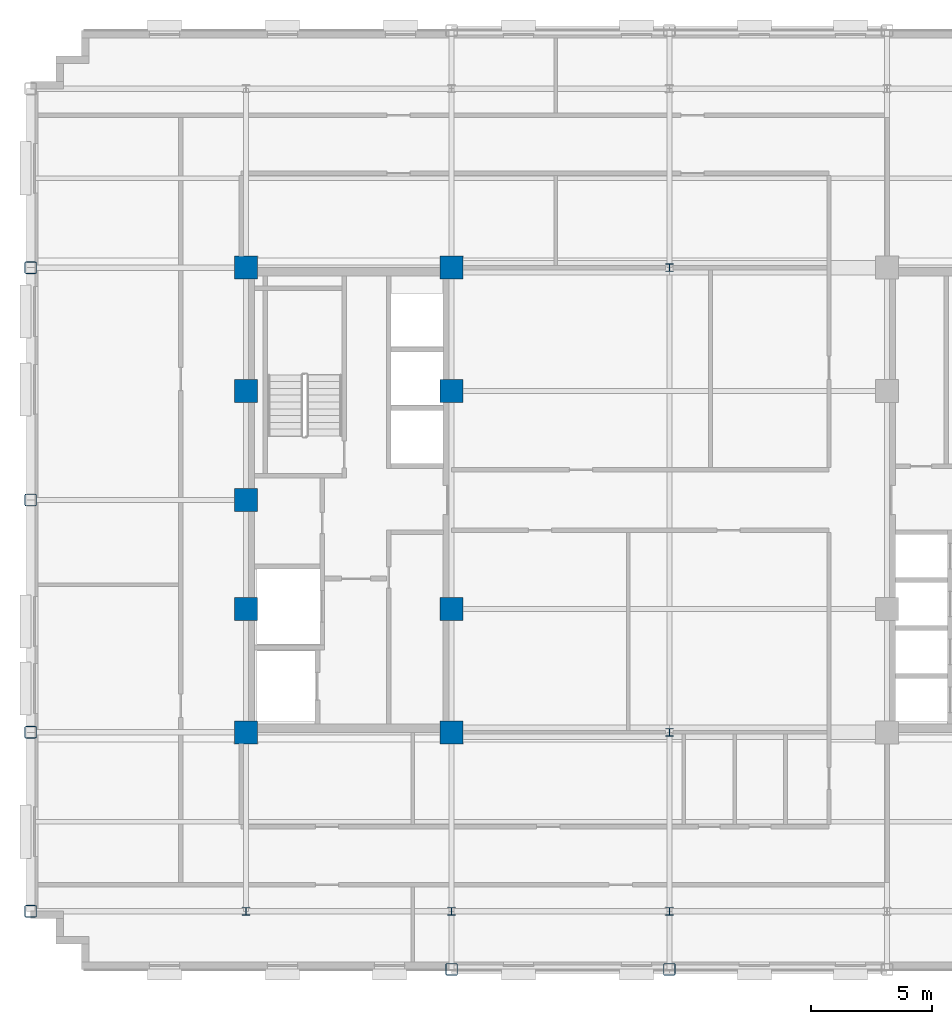
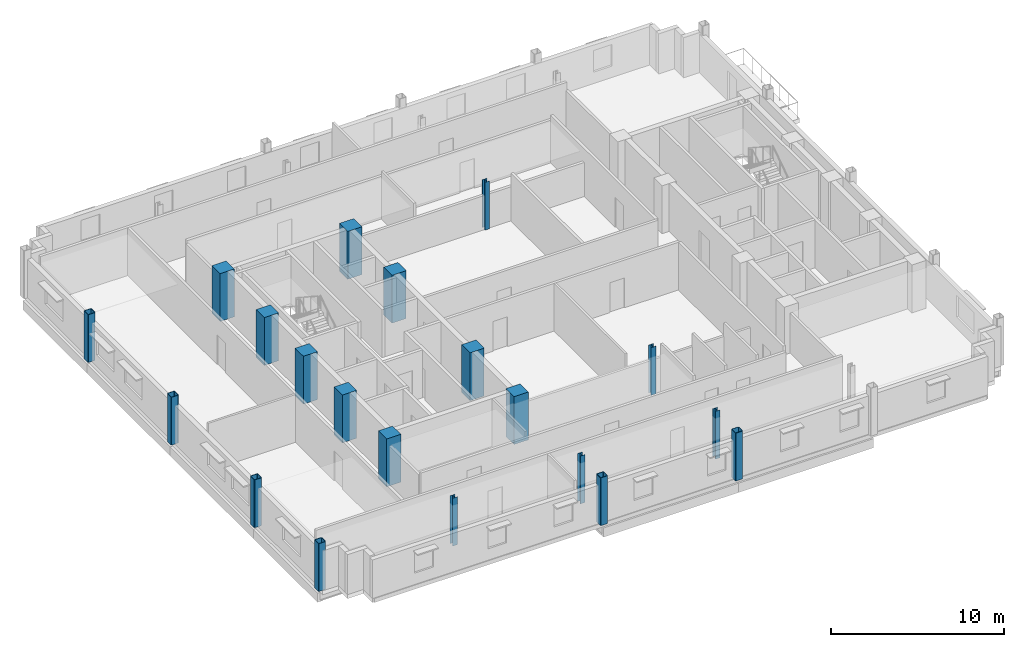
# One storey, part 1 of 13: 20 columns.
"""IFC4 building model written with IfcOpenShell, lengths in metres."""

from ifc_helpers import new_model, si_unit, direction, frame, origin, origin_2d, place, context, subcontext, project, spatial, rectangle, hollow_rectangle, i_section, extrude, material, material_profile, profile_set, type_object, element, save


model = new_model("IFC4")

# Units and contexts
model_context = context("Model", 3, precision=1e-05, world=origin(), true_north=direction((0.0, 1.0)))
body_context = subcontext(model_context, "Body", "Model", "MODEL_VIEW")
ifc_project = project(units=[si_unit("LENGTHUNIT", "METRE"), si_unit("AREAUNIT", "SQUARE_METRE"), si_unit("VOLUMEUNIT", "CUBIC_METRE"), si_unit("PLANEANGLEUNIT", "RADIAN"), si_unit("MASSUNIT", "GRAM", prefix="KILO")], contexts=[model_context])

# Site, building, storey
site_placement = place(None, origin())
site = spatial("IfcSite", under=ifc_project, at=site_placement, CompositionType="ELEMENT")
building_placement = place(site_placement, origin())
building = spatial("IfcBuilding", under=site, at=building_placement, Name="Nuvemarco Arch Tower", CompositionType="ELEMENT")
storey_placement = place(building_placement, frame((0.0, 0.0, 220.10009765625)))
storey = spatial("IfcBuildingStorey", under=building, at=storey_placement, Name="L58", CompositionType="ELEMENT", Elevation=220.10009765625)

# Columns
ifc_material_1 = material(Name="Concrete C50/60", Category="concrete")
ifc_material_profile_1 = material_profile(ifc_material_1, rectangle(XDim=0.949951171875, YDim=0.949951171875, at=origin_2d()), Name="RC-COL-950x950")
ifc_profile_set_1 = profile_set([ifc_material_profile_1], Name="Concrete C50/60")
column_type_1 = type_object("IfcColumnType", Name="COL-CORE-950", PredefinedType="COLUMN", material=ifc_profile_set_1)
for number, where, z_axis, x_axis, name in (
    (1, (-17.5, -9.60009765625, 0.0), (0.0, 0.0, 1.0), (1.0, 0.0, 0.0), "L58 column CC_-17.5_-9.6"),
    (2, (-17.5, -4.5, 0.0), (0.0, 0.0, 1.0), (1.0, 0.0, 0.0), "L58 column CC_-17.5_-4.5"),
    (3, (-17.5, 4.5, 0.0), (0.0, 0.0, 1.0), (1.0, 0.0, 0.0), "L58 column CC_-17.5_+4.5"),
    (4, (-17.5, 9.60009765625, 0.0), (0.0, 0.0, 1.0), (1.0, 0.0, 0.0), "L58 column CC_-17.5_+9.6"),
    (5, (-9.0, -9.60009765625, 0.0), (0.0, 0.0, 1.0), (1.0, 0.0, 0.0), "L58 column CC_-9.0_-9.6"),
    (6, (-9.0, -4.5, 0.0), (0.0, 0.0, 1.0), (1.0, 0.0, 0.0), "L58 column CC_-9.0_-4.5"),
    (7, (-9.0, 4.5, 0.0), (0.0, 0.0, 1.0), (1.0, 0.0, 0.0), "L58 column CC_-9.0_+4.5"),
    (8, (-9.0, 9.60009765625, 0.0), (0.0, 0.0, 1.0), (1.0, 0.0, 0.0), "L58 column CC_-9.0_+9.6"),
    (9, (-17.5, 0.0, 0.0), (0.0, 0.0, 1.0), (1.0, 0.0, 0.0), "L58 column CC_-17.5_+0.0"),
):
    element("IfcColumn", number, at=place(storey_placement, frame(where, z_axis=z_axis, x_axis=x_axis)), inside=storey, type_object=column_type_1, Name=name, PredefinedType="COLUMN", context=body_context, shape_type="SweptSolid", body=[
        extrude(rectangle(XDim=0.949951171875, YDim=0.949951171875, at=origin_2d()), origin(), (0.0, 0.0, 1.0), 3.369873046875),
    ])
ifc_material_2 = material(Name="Steel S355", Category="steel")
ifc_material_profile_2 = material_profile(ifc_material_2, hollow_rectangle(XDim=0.5, YDim=0.5, WallThickness=0.031982421875, InnerFilletRadius=0.031982421875, OuterFilletRadius=0.06396484375, at=origin_2d()), Name="SHS500x500x32")
ifc_profile_set_2 = profile_set([ifc_material_profile_2], Name="Steel S355")
column_type_2 = type_object("IfcColumnType", Name="COL-EXO-500", PredefinedType="COLUMN", material=ifc_profile_set_2)
for number, where, z_axis, x_axis, name in (
    (10, (-26.39990234375, -17.0, 0.0), (0.0, 0.0, 1.0), (1.0, 0.0, 0.0), "L58 column CX_-26.4_-17.0"),
    (11, (-26.39990234375, -9.60009765625, 0.0), (0.0, 0.0, 1.0), (1.0, 0.0, 0.0), "L58 column CX_-26.4_-9.6"),
    (12, (-26.39990234375, 0.0, 0.0), (0.0, 0.0, 1.0), (1.0, 0.0, 0.0), "L58 column CX_-26.4_+0.0"),
    (13, (-26.39990234375, 9.60009765625, 0.0), (0.0, 0.0, 1.0), (1.0, 0.0, 0.0), "L58 column CX_-26.4_+9.6"),
    (14, (-9.0, -19.39990234375, 0.0), (0.0, 0.0, 1.0), (1.0, 0.0, 0.0), "L58 column CY_-9.0_-19.4"),
    (15, (0.0, -19.39990234375, 0.0), (0.0, 0.0, 1.0), (1.0, 0.0, 0.0), "L58 column CY_+0.0_-19.4"),
):
    element("IfcColumn", number, at=place(storey_placement, frame(where, z_axis=z_axis, x_axis=x_axis)), inside=storey, type_object=column_type_2, Name=name, PredefinedType="COLUMN", context=body_context, shape_type="SweptSolid", body=[
        extrude(hollow_rectangle(XDim=0.5, YDim=0.5, WallThickness=0.031982421875, InnerFilletRadius=0.031982421875, OuterFilletRadius=0.06396484375, at=origin_2d()), origin(), (0.0, 0.0, 1.0), 3.369873046875),
    ])
ifc_material_profile_3 = material_profile(ifc_material_2, i_section(OverallWidth=0.31005859375, OverallDepth=0.31005859375, WebThickness=0.015380859375, FlangeThickness=0.015380859375, FilletRadius=0.014892578125, at=origin_2d()), Name="HP310x110")
ifc_profile_set_3 = profile_set([ifc_material_profile_3], Name="Steel S355")
column_type_3 = type_object("IfcColumnType", Name="COL-STL-HP310", PredefinedType="COLUMN", material=ifc_profile_set_3)
for number, where, z_axis, x_axis, name in (
    (16, (0.0, -17.0, 0.0), (0.0, 0.0, 1.0), (1.0, 0.0, 0.0), "L58 column CI_+0.0_-17.0"),
    (17, (0.0, -9.60009765625, 0.0), (0.0, 0.0, 1.0), (1.0, 0.0, 0.0), "L58 column CI_+0.0_-9.6"),
    (18, (0.0, 9.60009765625, 0.0), (0.0, 0.0, 1.0), (1.0, 0.0, 0.0), "L58 column CI_+0.0_+9.6"),
    (19, (-17.5, -17.0, 0.0), (0.0, 0.0, 1.0), (1.0, 0.0, 0.0), "L58 column CI_-17.5_-17.0"),
    (20, (-9.0, -17.0, 0.0), (0.0, 0.0, 1.0), (1.0, 0.0, 0.0), "L58 column CI_-9.0_-17.0"),
):
    element("IfcColumn", number, at=place(storey_placement, frame(where, z_axis=z_axis, x_axis=x_axis)), inside=storey, type_object=column_type_3, Name=name, PredefinedType="COLUMN", context=body_context, shape_type="SweptSolid", body=[
        extrude(i_section(OverallWidth=0.31005859375, OverallDepth=0.31005859375, WebThickness=0.015380859375, FlangeThickness=0.015380859375, FilletRadius=0.014892578125, at=origin_2d()), origin(), (0.0, 0.0, 1.0), 3.369873046875),
    ])

save(model, "model.ifc")
